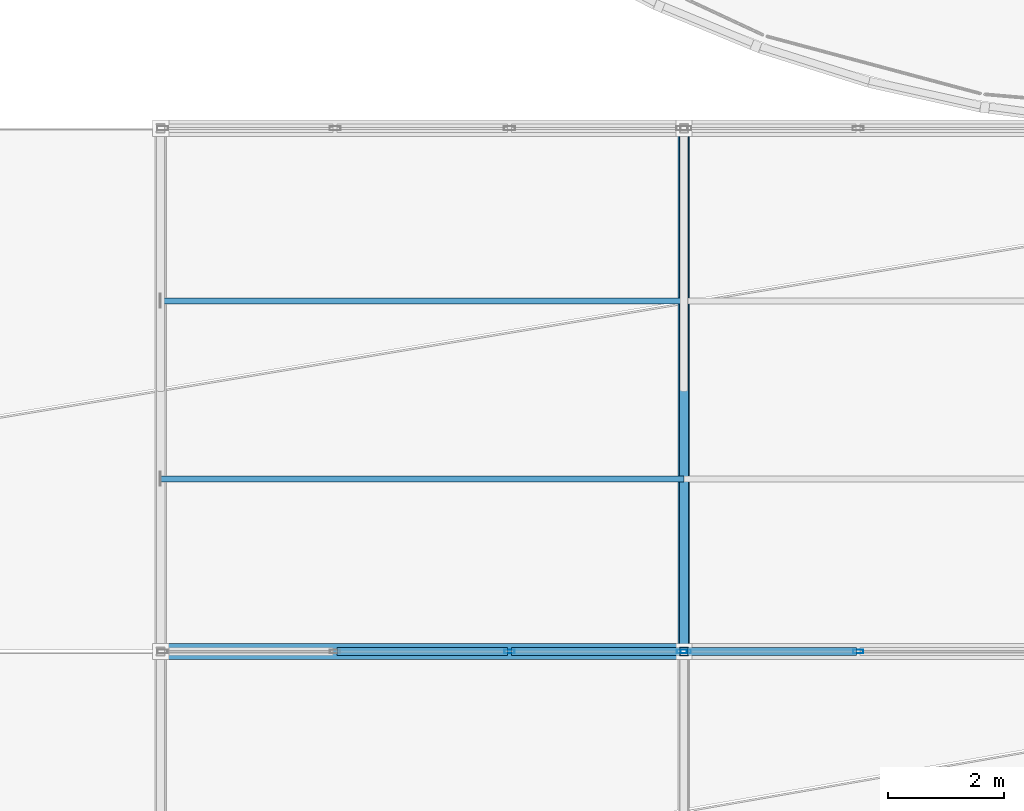
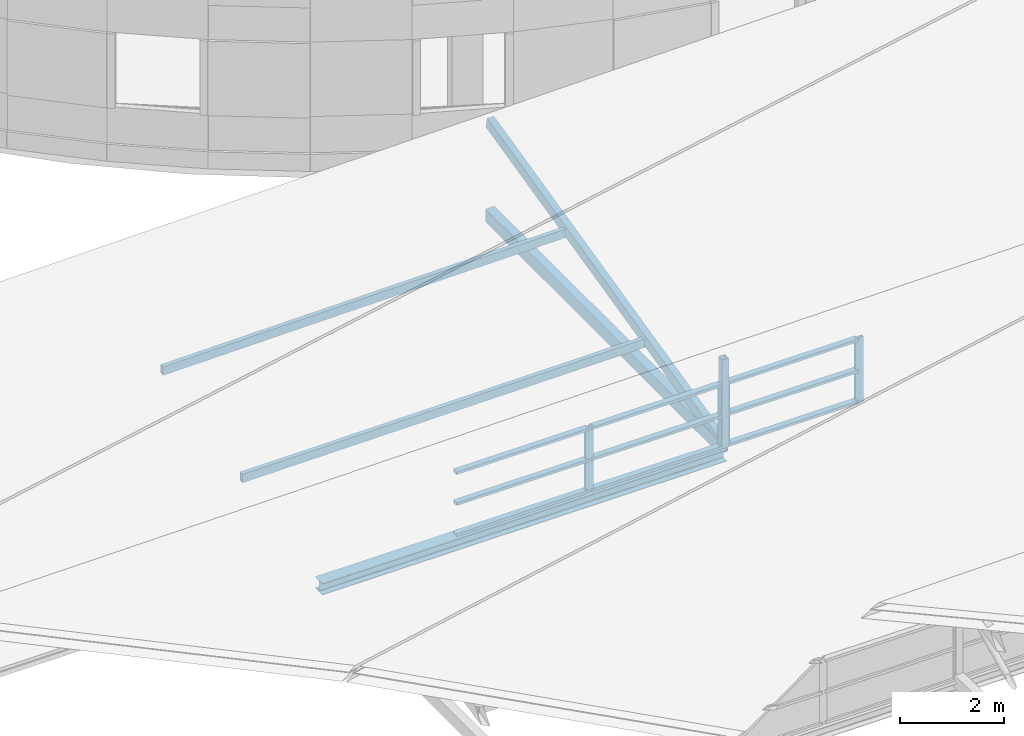
# One storey, part 31 of 103: 18 members, 1 beam, 2 elements without a shape of their own.
"""IFC4 building model written with IfcOpenShell, lengths in metres."""

from ifc_helpers import new_model, si_unit, direction, frame, origin, origin_2d, place, context, subcontext, project, spatial, hollow_rectangle, i_section, extrude, material, layer, layer_set, material_profile, profile_set, type_object, element, aggregate, save


model = new_model("IFC4")

# Units and contexts
model_context = context("Model", 3, precision=1e-05, world=origin(), true_north=direction((0.0, 1.0)))
body_context = subcontext(model_context, "Body", "Model", "MODEL_VIEW")
ifc_project = project(units=[si_unit("LENGTHUNIT", "METRE"), si_unit("AREAUNIT", "SQUARE_METRE"), si_unit("VOLUMEUNIT", "CUBIC_METRE"), si_unit("PLANEANGLEUNIT", "RADIAN"), si_unit("MASSUNIT", "GRAM", prefix="KILO")], contexts=[model_context])

# Site, building, storey
site_placement = place(None, origin())
site = spatial("IfcSite", under=ifc_project, at=site_placement, CompositionType="ELEMENT")
building_placement = place(site_placement, origin())
building = spatial("IfcBuilding", under=site, at=building_placement, Name="Deido Ridge Mobility Hub", CompositionType="ELEMENT")
storey_placement = place(building_placement, frame((0.0, 0.0, 12.60009765625)))
storey = spatial("IfcBuildingStorey", under=building, at=storey_placement, Name="L03", CompositionType="ELEMENT", Elevation=12.60009765625)

# Member
ifc_material_1 = material(Name="Steel S355J2H EN 10210-1", Category="steel")
ifc_material_profile_1 = material_profile(ifc_material_1, hollow_rectangle(XDim=0.199951171875, YDim=0.300048828125, WallThickness=0.012451171875, at=origin_2d()), Name="RHS 300x200x12.5")
ifc_profile_set_1 = profile_set([ifc_material_profile_1], Name="Steel S355J2H EN 10210-1")
member_type_1 = type_object("IfcMemberType", Name="MEM-CHD-RHS300", PredefinedType="CHORD", material=ifc_profile_set_1)
member_1_placement = place(storey_placement, frame((36.0, 72.0, 0.0), z_axis=(0.0, 1.0, 0.0), x_axis=(-1.0, 0.0, 0.0)))
element("IfcMember", 1, at=member_1_placement, inside=storey, type_object=member_type_1, Name="Sawtooth bottom chord CH1", PredefinedType="CHORD", context=body_context, shape_type="SweptSolid", body=[
    extrude(hollow_rectangle(XDim=0.199951171875, YDim=0.300048828125, WallThickness=0.012451171875, at=origin_2d()), origin(), (0.0, 0.0, 1.0), 9.0),
])

# Curtain wall, members
ifc_material_2 = material(Name="Anodised aluminium EN AW-6063 T6", Category="aluminium")
ifc_layer = layer(ifc_material_2, 0.14404296875, Name="Anodised aluminium EN AW-6063 T6")
ifc_layer_set = layer_set([ifc_layer], Name="Anodised aluminium EN AW-6063 T6")
curtain_wall_type = type_object("IfcCurtainWallType", Name="CW-GS-2", PredefinedType="USERDEFINED", material=ifc_layer_set)
curtain_wall_1_placement = place(storey_placement, origin())
curtain_wall_1 = element("IfcCurtainWall", 2, at=curtain_wall_1_placement, inside=storey, type_object=curtain_wall_type, Name="Unitised curtain wall GS2", ObjectType="GLAZED SCREEN", PredefinedType="USERDEFINED")
ifc_material_profile_2 = material_profile(ifc_material_2, hollow_rectangle(XDim=0.06494140625, YDim=0.175048828125, WallThickness=0.00390625, at=origin_2d()), Name="RHS 65x175x4")
ifc_profile_set_2 = profile_set([ifc_material_profile_2], Name="Anodised aluminium EN AW-6063 T6")
member_type_2 = type_object("IfcMemberType", Name="MEM-MUL-65X175", PredefinedType="MULLION", material=ifc_profile_set_2)
member_2_placement = place(storey_placement, frame((33.0, 72.0, 0.0), z_axis=(0.0, 0.0, 1.0), x_axis=(0.0, 1.0, 0.0)))
member_2 = element("IfcMember", 3, at=member_2_placement, type_object=member_type_2, Name="GS2 mullion 3", PredefinedType="MULLION", context=body_context, shape_type="SweptSolid", body=[
    extrude(hollow_rectangle(XDim=0.06494140625, YDim=0.175048828125, WallThickness=0.00390625, at=origin_2d()), origin(), (0.0, 0.0, 1.0), 1.52001953125),
])
member_3_placement = place(storey_placement, frame((35.967529296875, 72.0, 0.0), z_axis=(0.0, 0.0, 1.0), x_axis=(0.0, 1.0, 0.0)))
member_3 = element("IfcMember", 4, at=member_3_placement, type_object=member_type_2, Name="GS2 mullion 4", PredefinedType="MULLION", context=body_context, shape_type="SweptSolid", body=[
    extrude(hollow_rectangle(XDim=0.06494140625, YDim=0.175048828125, WallThickness=0.00390625, at=origin_2d()), origin(), (0.0, 0.0, 1.0), 1.52001953125),
])

curtain_wall_2_placement = place(storey_placement, origin())
curtain_wall_2 = element("IfcCurtainWall", 5, at=curtain_wall_2_placement, inside=storey, type_object=curtain_wall_type, Name="Unitised curtain wall GS2", ObjectType="GLAZED SCREEN", PredefinedType="USERDEFINED")
member_4_placement = place(storey_placement, frame((36.032470703125, 72.0, 0.0), z_axis=(0.0, 0.0, 1.0), x_axis=(0.0, 1.0, 0.0)))
member_4 = element("IfcMember", 6, at=member_4_placement, type_object=member_type_2, Name="GS2 mullion 1", PredefinedType="MULLION", context=body_context, shape_type="SweptSolid", body=[
    extrude(hollow_rectangle(XDim=0.06494140625, YDim=0.175048828125, WallThickness=0.00390625, at=origin_2d()), origin(), (0.0, 0.0, 1.0), 1.52001953125),
])
member_5_placement = place(storey_placement, frame((39.0, 72.0, 0.0), z_axis=(0.0, 0.0, 1.0), x_axis=(0.0, 1.0, 0.0)))
member_5 = element("IfcMember", 7, at=member_5_placement, type_object=member_type_2, Name="GS2 mullion 2", PredefinedType="MULLION", context=body_context, shape_type="SweptSolid", body=[
    extrude(hollow_rectangle(XDim=0.06494140625, YDim=0.175048828125, WallThickness=0.00390625, at=origin_2d()), origin(), (0.0, 0.0, 1.0), 1.52001953125),
])

# Members
ifc_material_profile_3 = material_profile(ifc_material_1, hollow_rectangle(XDim=0.14990234375, YDim=0.14990234375, WallThickness=0.008056640625, at=origin_2d()), Name="SHS 150x150x8")
ifc_profile_set_3 = profile_set([ifc_material_profile_3], Name="Steel S355J2H EN 10210-1")
member_type_3 = type_object("IfcMemberType", Name="MEM-PST-SHS150", PredefinedType="POST", material=ifc_profile_set_3)
member_6_placement = place(storey_placement, frame((36.0, 72.0, 0.0), z_axis=(0.0, 0.0, 1.0), x_axis=(1.0, 0.0, 0.0)))
element("IfcMember", 8, at=member_6_placement, inside=storey, type_object=member_type_3, Name="Sawtooth clerestory post PS1", PredefinedType="POST", context=body_context, shape_type="SweptSolid", body=[
    extrude(hollow_rectangle(XDim=0.14990234375, YDim=0.14990234375, WallThickness=0.008056640625, at=origin_2d()), origin(), (0.0, 0.0, 1.0), 2.08984375),
])
ifc_material_profile_4 = material_profile(ifc_material_1, hollow_rectangle(XDim=0.10009765625, YDim=0.199951171875, WallThickness=0.008056640625, at=origin_2d()), Name="RHS 200x100x8")
ifc_profile_set_4 = profile_set([ifc_material_profile_4], Name="Steel S355J2H EN 10210-1")
member_type_4 = type_object("IfcMemberType", Name="MEM-PUR-RHS200", PredefinedType="PURLIN", material=ifc_profile_set_4)
member_7_placement = place(storey_placement, frame((27.0, 74.969970703125, 0.61669921875), z_axis=(0.999982834304, 0.0, 0.00585927442), x_axis=(0.0, 1.0, 0.0)))
element("IfcMember", 9, at=member_7_placement, inside=storey, type_object=member_type_4, Name="Sawtooth roof purlin PR1", PredefinedType="PURLIN", context=body_context, shape_type="SweptSolid", body=[
    extrude(hollow_rectangle(XDim=0.10009765625, YDim=0.199951171875, WallThickness=0.008056640625, at=origin_2d()), origin(), (0.0, 0.0, 1.0), 9.000244140625),
])
member_8_placement = place(storey_placement, frame((27.0, 78.030029296875, 1.283203125), z_axis=(0.999929099722, 0.0, 0.011907792827), x_axis=(0.0, 1.0, 0.0)))
element("IfcMember", 10, at=member_8_placement, inside=storey, type_object=member_type_4, Name="Sawtooth roof purlin PR1", PredefinedType="PURLIN", context=body_context, shape_type="SweptSolid", body=[
    extrude(hollow_rectangle(XDim=0.10009765625, YDim=0.199951171875, WallThickness=0.008056640625, at=origin_2d()), origin(), (0.0, 0.0, 1.0), 9.000732421875),
])
ifc_material_profile_5 = material_profile(ifc_material_1, hollow_rectangle(XDim=0.14990234375, YDim=0.25, WallThickness=0.010009765625, at=origin_2d()), Name="RHS 250x150x10")
ifc_profile_set_5 = profile_set([ifc_material_profile_5], Name="Steel S355J2H EN 10210-1")
member_type_5 = type_object("IfcMemberType", Name="MEM-RAF-RHS250", PredefinedType="RAFTER", material=ifc_profile_set_5)
member_9_placement = place(storey_placement, frame((36.0, 72.0, 0.0498046875), z_axis=(0.0, 0.973357574891, 0.229292458234), x_axis=(-1.0, 0.0, 0.0)))
element("IfcMember", 11, at=member_9_placement, inside=storey, type_object=member_type_5, Name="Sawtooth sloped rafter RF1", PredefinedType="RAFTER", context=body_context, shape_type="SweptSolid", body=[
    extrude(hollow_rectangle(XDim=0.14990234375, YDim=0.25, WallThickness=0.010009765625, at=origin_2d()), origin(), (0.0, 0.0, 1.0), 9.246337890625),
])

# Member
ifc_material_profile_6 = material_profile(ifc_material_2, hollow_rectangle(XDim=0.135009765625, YDim=0.06494140625, WallThickness=0.00390625, at=origin_2d()), Name="RHS 135x65x4")
ifc_profile_set_6 = profile_set([ifc_material_profile_6], Name="Anodised aluminium EN AW-6063 T6")
member_type_6 = type_object("IfcMemberType", Name="MEM-TRN-135X65", PredefinedType="USERDEFINED", material=ifc_profile_set_6)
member_10_placement = place(storey_placement, frame((30.032470703125, 72.0, 0.032470703125), z_axis=(1.0, 0.0, 0.0), x_axis=(0.0, 1.0, 0.0)))
member_10 = element("IfcMember", 12, at=member_10_placement, type_object=member_type_6, Name="GS2 transom 2.1", ObjectType="TRANSOM", PredefinedType="USERDEFINED", context=body_context, shape_type="SweptSolid", body=[
    extrude(hollow_rectangle(XDim=0.135009765625, YDim=0.06494140625, WallThickness=0.00390625, at=origin_2d()), origin(), (0.0, 0.0, 1.0), 2.93505859375),
])

member_11_placement = place(storey_placement, frame((30.032470703125, 72.0, 0.760009765625), z_axis=(1.0, 0.0, 0.0), x_axis=(0.0, 1.0, 0.0)))
member_11 = element("IfcMember", 13, at=member_11_placement, type_object=member_type_6, Name="GS2 transom 2.2", ObjectType="TRANSOM", PredefinedType="USERDEFINED", context=body_context, shape_type="SweptSolid", body=[
    extrude(hollow_rectangle(XDim=0.135009765625, YDim=0.06494140625, WallThickness=0.00390625, at=origin_2d()), origin(), (0.0, 0.0, 1.0), 2.93505859375),
])

member_12_placement = place(storey_placement, frame((30.032470703125, 72.0, 1.4873046875), z_axis=(1.0, 0.0, 0.0), x_axis=(0.0, 1.0, 0.0)))
member_12 = element("IfcMember", 14, at=member_12_placement, type_object=member_type_6, Name="GS2 transom 2.3", ObjectType="TRANSOM", PredefinedType="USERDEFINED", context=body_context, shape_type="SweptSolid", body=[
    extrude(hollow_rectangle(XDim=0.135009765625, YDim=0.06494140625, WallThickness=0.00390625, at=origin_2d()), origin(), (0.0, 0.0, 1.0), 2.93505859375),
])

member_13_placement = place(storey_placement, frame((33.032470703125, 72.0, 0.032470703125), z_axis=(1.0, 0.0, 0.0), x_axis=(0.0, 1.0, 0.0)))
member_13 = element("IfcMember", 15, at=member_13_placement, type_object=member_type_6, Name="GS2 transom 3.1", ObjectType="TRANSOM", PredefinedType="USERDEFINED", context=body_context, shape_type="SweptSolid", body=[
    extrude(hollow_rectangle(XDim=0.135009765625, YDim=0.06494140625, WallThickness=0.00390625, at=origin_2d()), origin(), (0.0, 0.0, 1.0), 2.902587890625),
])

member_14_placement = place(storey_placement, frame((33.032470703125, 72.0, 0.760009765625), z_axis=(1.0, 0.0, 0.0), x_axis=(0.0, 1.0, 0.0)))
member_14 = element("IfcMember", 16, at=member_14_placement, type_object=member_type_6, Name="GS2 transom 3.2", ObjectType="TRANSOM", PredefinedType="USERDEFINED", context=body_context, shape_type="SweptSolid", body=[
    extrude(hollow_rectangle(XDim=0.135009765625, YDim=0.06494140625, WallThickness=0.00390625, at=origin_2d()), origin(), (0.0, 0.0, 1.0), 2.902587890625),
])

member_15_placement = place(storey_placement, frame((33.032470703125, 72.0, 1.4873046875), z_axis=(1.0, 0.0, 0.0), x_axis=(0.0, 1.0, 0.0)))
member_15 = element("IfcMember", 17, at=member_15_placement, type_object=member_type_6, Name="GS2 transom 3.3", ObjectType="TRANSOM", PredefinedType="USERDEFINED", context=body_context, shape_type="SweptSolid", body=[
    extrude(hollow_rectangle(XDim=0.135009765625, YDim=0.06494140625, WallThickness=0.00390625, at=origin_2d()), origin(), (0.0, 0.0, 1.0), 2.902587890625),
])

aggregate(curtain_wall_1, [member_2, member_3, member_10, member_11, member_12, member_13, member_14, member_15])

member_16_placement = place(storey_placement, frame((36.06494140625, 72.0, 0.032470703125), z_axis=(1.0, 0.0, 0.0), x_axis=(0.0, 1.0, 0.0)))
member_16 = element("IfcMember", 18, at=member_16_placement, type_object=member_type_6, Name="GS2 transom 1.1", ObjectType="TRANSOM", PredefinedType="USERDEFINED", context=body_context, shape_type="SweptSolid", body=[
    extrude(hollow_rectangle(XDim=0.135009765625, YDim=0.06494140625, WallThickness=0.00390625, at=origin_2d()), origin(), (0.0, 0.0, 1.0), 2.902587890625),
])

member_17_placement = place(storey_placement, frame((36.06494140625, 72.0, 0.760009765625), z_axis=(1.0, 0.0, 0.0), x_axis=(0.0, 1.0, 0.0)))
member_17 = element("IfcMember", 19, at=member_17_placement, type_object=member_type_6, Name="GS2 transom 1.2", ObjectType="TRANSOM", PredefinedType="USERDEFINED", context=body_context, shape_type="SweptSolid", body=[
    extrude(hollow_rectangle(XDim=0.135009765625, YDim=0.06494140625, WallThickness=0.00390625, at=origin_2d()), origin(), (0.0, 0.0, 1.0), 2.902587890625),
])

member_18_placement = place(storey_placement, frame((36.06494140625, 72.0, 1.4873046875), z_axis=(1.0, 0.0, 0.0), x_axis=(0.0, 1.0, 0.0)))
member_18 = element("IfcMember", 20, at=member_18_placement, type_object=member_type_6, Name="GS2 transom 1.3", ObjectType="TRANSOM", PredefinedType="USERDEFINED", context=body_context, shape_type="SweptSolid", body=[
    extrude(hollow_rectangle(XDim=0.135009765625, YDim=0.06494140625, WallThickness=0.00390625, at=origin_2d()), origin(), (0.0, 0.0, 1.0), 2.902587890625),
])

aggregate(curtain_wall_2, [member_4, member_5, member_16, member_17, member_18])

# Beam
ifc_material_3 = material(Name="Steel S355J2 EN 10025-2", Category="steel")
ifc_material_profile_7 = material_profile(ifc_material_3, i_section(OverallWidth=0.280029296875, OverallDepth=0.27001953125, WebThickness=0.008056640625, FlangeThickness=0.012939453125, FilletRadius=0.02392578125, at=origin_2d()), Name="HEA 280")
ifc_profile_set_7 = profile_set([ifc_material_profile_7], Name="Steel S355J2 EN 10025-2")
beam_type = type_object("IfcBeamType", Name="SPD-HEA280", PredefinedType="SPANDREL", material=ifc_profile_set_7)
beam_placement = place(storey_placement, frame((27.007080078125, 72.0, -0.135009765625), z_axis=(1.0, 0.0, 0.0), x_axis=(0.0, 1.0, 0.0)))
element("IfcBeam", 21, at=beam_placement, inside=storey, type_object=beam_type, Name="Sawtooth eave beam SP2", PredefinedType="SPANDREL", context=body_context, shape_type="SweptSolid", body=[
    extrude(i_section(OverallWidth=0.280029296875, OverallDepth=0.27001953125, WebThickness=0.008056640625, FlangeThickness=0.012939453125, FilletRadius=0.02392578125, at=origin_2d()), origin(), (0.0, 0.0, 1.0), 8.98583984375),
])

save(model, "model.ifc")
